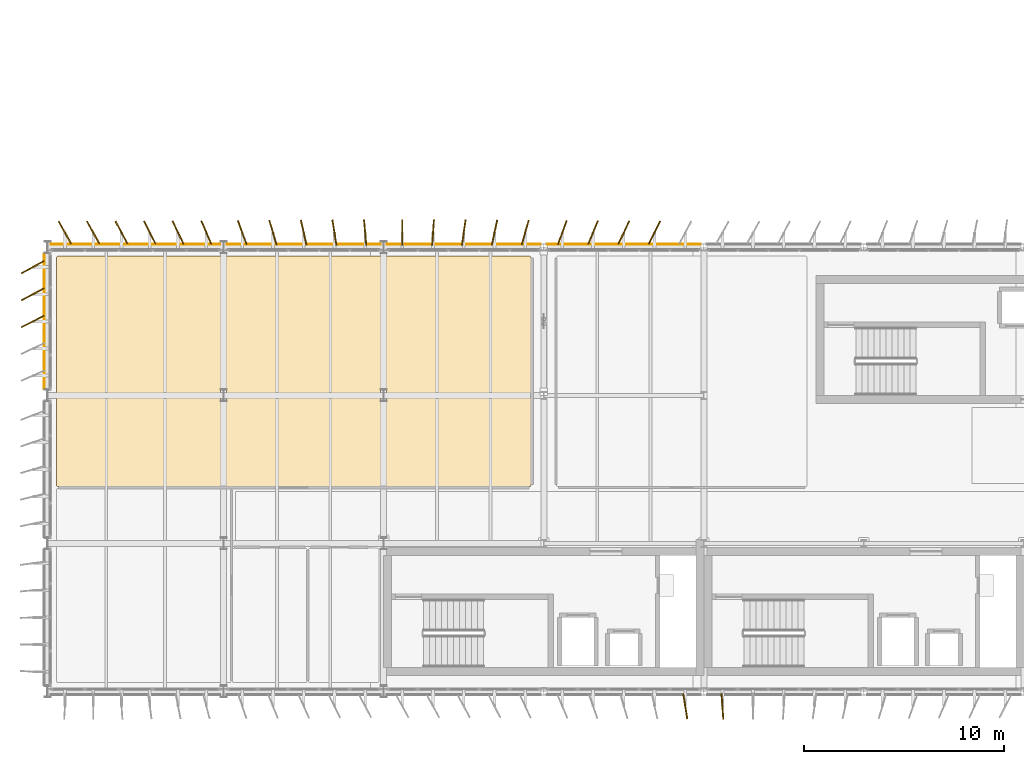
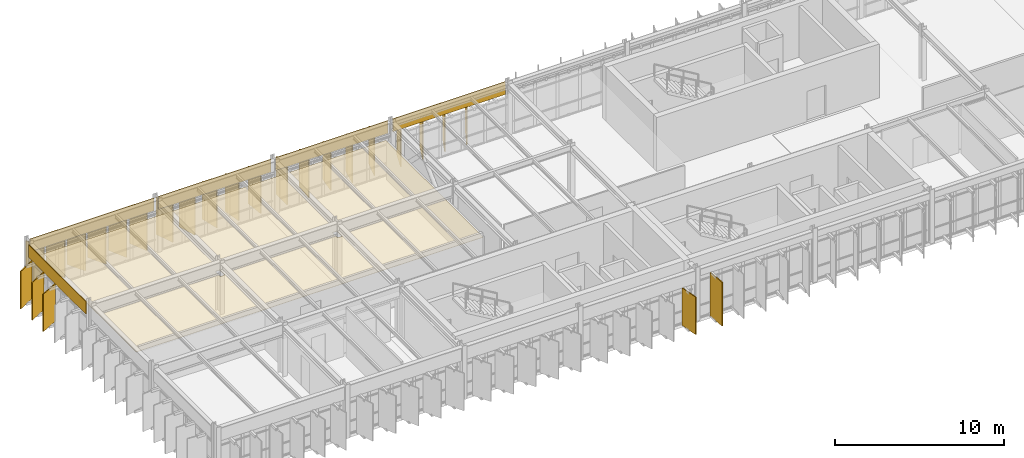
# One storey, part 39 of 45: 31 coverings.
"""IFC4 building model written with IfcOpenShell, lengths in metres."""

from ifc_helpers import new_model, si_unit, direction, frame, frame_2d, origin, origin_2d, place, context, subcontext, project, spatial, polyline, rectangle, outline, extrude, material, layer, layer_set, type_object, element, save


model = new_model("IFC4")

# Units and contexts
model_context = context("Model", 3, precision=1e-05, world=origin(), true_north=direction((0.0, 1.0)))
body_context = subcontext(model_context, "Body", "Model", "MODEL_VIEW")
ifc_project = project(units=[si_unit("LENGTHUNIT", "METRE"), si_unit("AREAUNIT", "SQUARE_METRE"), si_unit("VOLUMEUNIT", "CUBIC_METRE"), si_unit("PLANEANGLEUNIT", "RADIAN"), si_unit("MASSUNIT", "GRAM", prefix="KILO")], contexts=[model_context])

# Site, building, storey
site_placement = place(None, origin())
site = spatial("IfcSite", under=ifc_project, at=site_placement, CompositionType="ELEMENT")
building_placement = place(site_placement, origin())
building = spatial("IfcBuilding", under=site, at=building_placement, Name="Valkorina Park Police Headquarters", CompositionType="ELEMENT")
storey_placement = place(building_placement, frame((0.0, 0.0, 23.300048828125)))
storey = spatial("IfcBuildingStorey", under=building, at=storey_placement, Name="L06", CompositionType="ELEMENT", Elevation=23.300048828125)

# Coverings
ifc_material_1 = material(Name="Acoustic mineral board")
ifc_layer_1 = layer(ifc_material_1, 0.02490234375)
ifc_layer_set_1 = layer_set([ifc_layer_1], Name="Acoustic mineral board")
covering_type_1 = type_object("IfcCoveringType", Name="COV-CEILING-ACOUST", PredefinedType="CEILING", material=ifc_layer_set_1)
covering_1_placement = place(storey_placement, frame((0.0, 0.0, 2.7548828125)))
element("IfcCovering", 1, at=covering_1_placement, inside=storey, type_object=covering_type_1, Name="Homicide and Serious Crime Incident Room Acoustic Suspended Ceiling", PredefinedType="CEILING", context=body_context, shape_type="SweptSolid", body=[
    extrude(outline(polyline([(24.095703125, 58.758544921875), (24.087890625, 58.759521484375), (24.080078125, 58.760009765625), (0.52001953125, 58.760009765625), (0.51220703125, 58.759521484375), (0.50439453125, 58.758544921875), (0.496826171875, 58.756591796875), (0.489501953125, 58.75390625), (0.482421875, 58.75048828125), (0.4755859375, 58.74658203125), (0.46923828125, 58.74169921875), (0.46337890625, 58.736572265625), (0.458251953125, 58.730712890625), (0.45361328125, 58.724365234375), (0.449462890625, 58.7177734375), (0.446044921875, 58.710693359375), (0.443359375, 58.703125), (0.44140625, 58.695556640625), (0.4404296875, 58.687744140625), (0.43994140625, 58.679931640625), (0.43994140625, 47.320068359375), (0.4404296875, 47.312255859375), (0.44140625, 47.304443359375), (0.443359375, 47.296875), (0.446044921875, 47.289306640625), (0.449462890625, 47.2822265625), (0.45361328125, 47.275634765625), (0.458251953125, 47.269287109375), (0.46337890625, 47.263427734375), (0.46923828125, 47.25830078125), (0.4755859375, 47.25341796875), (0.482421875, 47.24951171875), (0.489501953125, 47.24609375), (0.496826171875, 47.243408203125), (0.50439453125, 47.241455078125), (0.51220703125, 47.240478515625), (0.52001953125, 47.239990234375), (24.080078125, 47.239990234375), (24.087890625, 47.240478515625), (24.095703125, 47.241455078125), (24.103271484375, 47.243408203125), (24.110595703125, 47.24609375), (24.11767578125, 47.24951171875), (24.12451171875, 47.25341796875), (24.130859375, 47.25830078125), (24.13671875, 47.263427734375), (24.141845703125, 47.269287109375), (24.146484375, 47.275634765625), (24.150634765625, 47.2822265625), (24.15380859375, 47.289306640625), (24.156494140625, 47.296875), (24.158447265625, 47.304443359375), (24.15966796875, 47.312255859375), (24.159912109375, 47.320068359375), (24.159912109375, 58.679931640625), (24.15966796875, 58.687744140625), (24.158447265625, 58.695556640625), (24.156494140625, 58.703125), (24.15380859375, 58.710693359375), (24.150634765625, 58.7177734375), (24.146484375, 58.724365234375), (24.141845703125, 58.730712890625), (24.13671875, 58.736572265625), (24.130859375, 58.74169921875), (24.12451171875, 58.74658203125), (24.11767578125, 58.75048828125), (24.110595703125, 58.75390625), (24.103271484375, 58.756591796875), (24.095703125, 58.758544921875)]), holes=[polyline([(16.64990234375, 52.10009765625), (16.949951171875, 52.10009765625), (16.949951171875, 51.5), (16.64990234375, 51.5), (16.64990234375, 52.10009765625)]), polyline([(8.64990234375, 52.10009765625), (8.949951171875, 52.10009765625), (8.949951171875, 51.5), (8.64990234375, 51.5), (8.64990234375, 52.10009765625)])]), origin(), (0.0, 0.0, 1.0), 0.025146484375),
])
ifc_material_2 = material(Name="Precast concrete C40/50", Category="concrete")
ifc_layer_2 = layer(ifc_material_2, 0.044921875)
ifc_layer_set_2 = layer_set([ifc_layer_2], Name="Precast concrete C40/50")
covering_type_2 = type_object("IfcCoveringType", Name="COV-CLAD-DOLOMITE", PredefinedType="CLADDING", material=ifc_layer_set_2)
covering_2_placement = place(storey_placement, frame((-0.159912109375, 52.110107421875, 2.77001953125), z_axis=(0.0, 0.0, 1.0), x_axis=(0.0, 1.0, 0.0)))
element("IfcCovering", 2, at=covering_2_placement, inside=storey, type_object=covering_type_2, Name="L06 Spandrel Beam Insulated Fascia 2476", PredefinedType="CLADDING", context=body_context, shape_type="SweptSolid", body=[
    extrude(rectangle(XDim=6.77978515625, YDim=0.044921875, at=frame_2d((3.389892578125, 0.0))), origin(), (0.0, 0.0, 1.0), 0.909912109375),
])
covering_3_placement = place(storey_placement, frame((0.159912109375, 59.360107421875, 2.77001953125), z_axis=(0.0, 0.0, 1.0), x_axis=(1.0, 0.0, 0.0)))
element("IfcCovering", 3, at=covering_3_placement, inside=storey, type_object=covering_type_2, Name="L06 Spandrel Beam Insulated Fascia 2477", PredefinedType="CLADDING", context=body_context, shape_type="SweptSolid", body=[
    extrude(rectangle(XDim=8.47998046875, YDim=0.044921875, at=frame_2d((4.239990234375, 0.0))), origin(), (0.0, 0.0, 1.0), 0.909912109375),
])
for number, where, z_axis, x_axis, name in (
    (4, (8.9599609375, 59.360107421875, 2.77001953125), (0.0, 0.0, 1.0), (1.0, 0.0, 0.0), "L06 Spandrel Beam Insulated Fascia 2478"),
    (5, (16.9599609375, 59.360107421875, 2.77001953125), (0.0, 0.0, 1.0), (1.0, 0.0, 0.0), "L06 Spandrel Beam Insulated Fascia 2479"),
    (6, (24.9599609375, 59.360107421875, 2.77001953125), (0.0, 0.0, 1.0), (1.0, 0.0, 0.0), "L06 Spandrel Beam Insulated Fascia 2480"),
):
    element("IfcCovering", number, at=place(storey_placement, frame(where, z_axis=z_axis, x_axis=x_axis)), inside=storey, type_object=covering_type_2, Name=name, PredefinedType="CLADDING", context=body_context, shape_type="SweptSolid", body=[
        extrude(rectangle(XDim=7.679931640625, YDim=0.044921875, at=frame_2d((3.83984375, 0.0))), origin(), (0.0, 0.0, 1.0), 0.909912109375),
    ])
ifc_material_3 = material(Name="Polychrome anodized aluminium - Baltic Amber", Category="aluminium")
ifc_layer_3 = layer(ifc_material_3, 0.06494140625)
ifc_layer_set_3 = layer_set([ifc_layer_3], Name="Polychrome anodized aluminium - Baltic Amber")
covering_type_3 = type_object("IfcCoveringType", Name="SHD-LOUVRE-AMBER", PredefinedType="CLADDING", material=ifc_layer_set_3)
for number, where, z_axis, x_axis, name in (
    (7, (0.86669921875, 59.93994140625, 0.0400390625), (0.0, 0.0, 1.0), (-0.484656962927, 0.874704309059, 0.0), "V5 Polychrome Pivoting Louvre 0325"),
    (8, (6.52001953125, 59.93994140625, 0.0400390625), (0.0, 0.0, 1.0), (-0.428462089374, 0.903559758936, 0.0), "V5 Polychrome Pivoting Louvre 0329"),
    (9, (14.3359375, 59.93994140625, 0.0400390625), (0.0, 0.0, 1.0), (-0.159881187692, 0.987136265073, 0.0), "V5 Polychrome Pivoting Louvre 0334"),
    (10, (20.800048828125, 59.93994140625, 0.0400390625), (0.0, 0.0, 1.0), (0.144874295681, 0.9894500687, 0.0), "V5 Polychrome Pivoting Louvre 0338"),
    (11, (27.263916015625, 59.93994140625, 0.0400390625), (0.0, 0.0, 1.0), (0.387676476022, 0.921795503319, 0.0), "V5 Polychrome Pivoting Louvre 0342"),
):
    element("IfcCovering", number, at=place(storey_placement, frame(where, z_axis=z_axis, x_axis=x_axis)), inside=storey, type_object=covering_type_3, Name=name, PredefinedType="CLADDING", context=body_context, shape_type="SweptSolid", body=[
        extrude(rectangle(XDim=1.280029296875, YDim=0.06494140625, at=origin_2d()), origin(), (0.0, 0.0, 1.0), 2.7099609375),
    ])
covering_4_placement = place(storey_placement, frame((33.72802734375, 36.260009765625, 0.0400390625), z_axis=(0.0, 0.0, 1.0), x_axis=(0.073412260224, -0.997301679558, 0.0)))
element("IfcCovering", 12, at=covering_4_placement, inside=storey, type_object=covering_type_3, Name="V5 Polychrome Pivoting Louvre 0440", PredefinedType="CLADDING", context=body_context, shape_type="SweptSolid", body=[
    extrude(rectangle(XDim=1.280029296875, YDim=0.06494140625, at=origin_2d()), origin(), (0.0, 0.0, 1.0), 3.159912109375),
])
ifc_material_4 = material(Name="Polychrome anodized aluminium - Riga Ochre", Category="aluminium")
ifc_layer_4 = layer(ifc_material_4, 0.06494140625)
ifc_layer_set_4 = layer_set([ifc_layer_4], Name="Polychrome anodized aluminium - Riga Ochre")
covering_type_4 = type_object("IfcCoveringType", Name="SHD-LOUVRE-OCHRE", PredefinedType="CLADDING", material=ifc_layer_set_4)
for number, where, z_axis, x_axis, name in (
    (13, (-0.739990234375, 56.85595703125, 0.0400390625), (0.0, 0.0, 1.0), (-0.884662361566, -0.466232244732, 0.0), "V5 Polychrome Pivoting Louvre 0323"),
    (14, (3.693359375, 59.93994140625, 0.0400390625), (0.0, 0.0, 1.0), (-0.472396941203, 0.881385914309, 0.0), "V5 Polychrome Pivoting Louvre 0327"),
    (15, (11.263916015625, 59.93994140625, 0.0400390625), (0.0, 0.0, 1.0), (-0.28769484546, 0.957722128749, 0.0), "V5 Polychrome Pivoting Louvre 0332"),
    (16, (17.72802734375, 59.93994140625, 0.0400390625), (0.0, 0.0, 1.0), (-0.000349065843, 0.999999939077, 0.0), "V5 Polychrome Pivoting Louvre 0336"),
    (17, (23.8720703125, 59.93994140625, 0.0400390625), (0.0, 0.0, 1.0), (0.275134002609, 0.961405887546, 0.0), "V5 Polychrome Pivoting Louvre 0340"),
    (18, (30.3359375, 59.93994140625, 0.0400390625), (0.0, 0.0, 1.0), (0.45399049974, 0.891006524188, 0.0), "V5 Polychrome Pivoting Louvre 0344"),
):
    element("IfcCovering", number, at=place(storey_placement, frame(where, z_axis=z_axis, x_axis=x_axis)), inside=storey, type_object=covering_type_4, Name=name, PredefinedType="CLADDING", context=body_context, shape_type="SweptSolid", body=[
        extrude(rectangle(XDim=1.280029296875, YDim=0.06494140625, at=origin_2d()), origin(), (0.0, 0.0, 1.0), 2.7099609375),
    ])
ifc_material_5 = material(Name="Polychrome anodized aluminium - Courland Slate Blue", Category="masonry")
ifc_layer_5 = layer(ifc_material_5, 0.06494140625)
ifc_layer_set_5 = layer_set([ifc_layer_5], Name="Polychrome anodized aluminium - Courland Slate Blue")
covering_type_5 = type_object("IfcCoveringType", Name="SHD-LOUVRE-SLATE", PredefinedType="CLADDING", material=ifc_layer_set_5)
for number, where, z_axis, x_axis, name in (
    (19, (-0.739990234375, 58.2119140625, 0.0400390625), (0.0, 0.0, 1.0), (-0.878900379191, -0.477005370471, 0.0), "V5 Polychrome Pivoting Louvre 0324"),
    (20, (5.106689453125, 59.93994140625, 0.0400390625), (0.0, 0.0, 1.0), (-0.454456967411, 0.890768693192, 0.0), "V5 Polychrome Pivoting Louvre 0328"),
    (21, (12.800048828125, 59.93994140625, 0.0400390625), (0.0, 0.0, 1.0), (-0.226651307437, 0.973975967279, 0.0), "V5 Polychrome Pivoting Louvre 0333"),
    (22, (19.263916015625, 59.93994140625, 0.0400390625), (0.0, 0.0, 1.0), (0.073238197128, 0.997314477224, 0.0), "V5 Polychrome Pivoting Louvre 0337"),
    (23, (25.72802734375, 59.93994140625, 0.0400390625), (0.0, 0.0, 1.0), (0.341528074559, 0.939871573295, 0.0), "V5 Polychrome Pivoting Louvre 0341"),
):
    element("IfcCovering", number, at=place(storey_placement, frame(where, z_axis=z_axis, x_axis=x_axis)), inside=storey, type_object=covering_type_5, Name=name, PredefinedType="CLADDING", context=body_context, shape_type="SweptSolid", body=[
        extrude(rectangle(XDim=1.280029296875, YDim=0.06494140625, at=origin_2d()), origin(), (0.0, 0.0, 1.0), 2.7099609375),
    ])
ifc_material_6 = material(Name="Polychrome anodized aluminium - Pine Verdigris", Category="aluminium")
ifc_layer_6 = layer(ifc_material_6, 0.06494140625)
ifc_layer_set_6 = layer_set([ifc_layer_6], Name="Polychrome anodized aluminium - Pine Verdigris")
covering_type_6 = type_object("IfcCoveringType", Name="SHD-LOUVRE-VERDIGRIS", PredefinedType="CLADDING", material=ifc_layer_set_6)
for number, where, z_axis, x_axis, name in (
    (24, (-0.739990234375, 55.5, 0.0400390625), (0.0, 0.0, 1.0), (-0.892507111882, -0.451033319435, 0.0), "V5 Polychrome Pivoting Louvre 0322"),
    (25, (2.280029296875, 59.93994140625, 0.0400390625), (0.0, 0.0, 1.0), (-0.482518212408, 0.875885937035, 0.0), "V5 Polychrome Pivoting Louvre 0326"),
    (26, (7.933349609375, 59.93994140625, 0.0400390625), (0.0, 0.0, 1.0), (-0.395064550964, 0.918653362576, 0.0), "V5 Polychrome Pivoting Louvre 0330"),
    (27, (9.72802734375, 59.93994140625, 0.0400390625), (0.0, 0.0, 1.0), (-0.341856130815, 0.939752300249, 0.0), "V5 Polychrome Pivoting Louvre 0331"),
    (28, (15.8720703125, 59.93994140625, 0.0400390625), (0.0, 0.0, 1.0), (-0.088894296866, 0.996041065411, 0.0), "V5 Polychrome Pivoting Louvre 0335"),
    (29, (22.3359375, 59.93994140625, 0.0400390625), (0.0, 0.0, 1.0), (0.212689320059, 0.977119876542, 0.0), "V5 Polychrome Pivoting Louvre 0339"),
    (30, (28.800048828125, 59.93994140625, 0.0400390625), (0.0, 0.0, 1.0), (0.425305466885, 0.90504986594, 0.0), "V5 Polychrome Pivoting Louvre 0343"),
    (31, (31.8720703125, 36.260009765625, 0.0400390625), (0.0, 0.0, 1.0), (0.159536602398, -0.987192013995, 0.0), "V5 Polychrome Pivoting Louvre 0441"),
):
    element("IfcCovering", number, at=place(storey_placement, frame(where, z_axis=z_axis, x_axis=x_axis)), inside=storey, type_object=covering_type_6, Name=name, PredefinedType="CLADDING", context=body_context, shape_type="SweptSolid", body=[
        extrude(rectangle(XDim=1.280029296875, YDim=0.06494140625, at=origin_2d()), origin(), (0.0, 0.0, 1.0), 2.7099609375),
    ])

save(model, "model.ifc")
